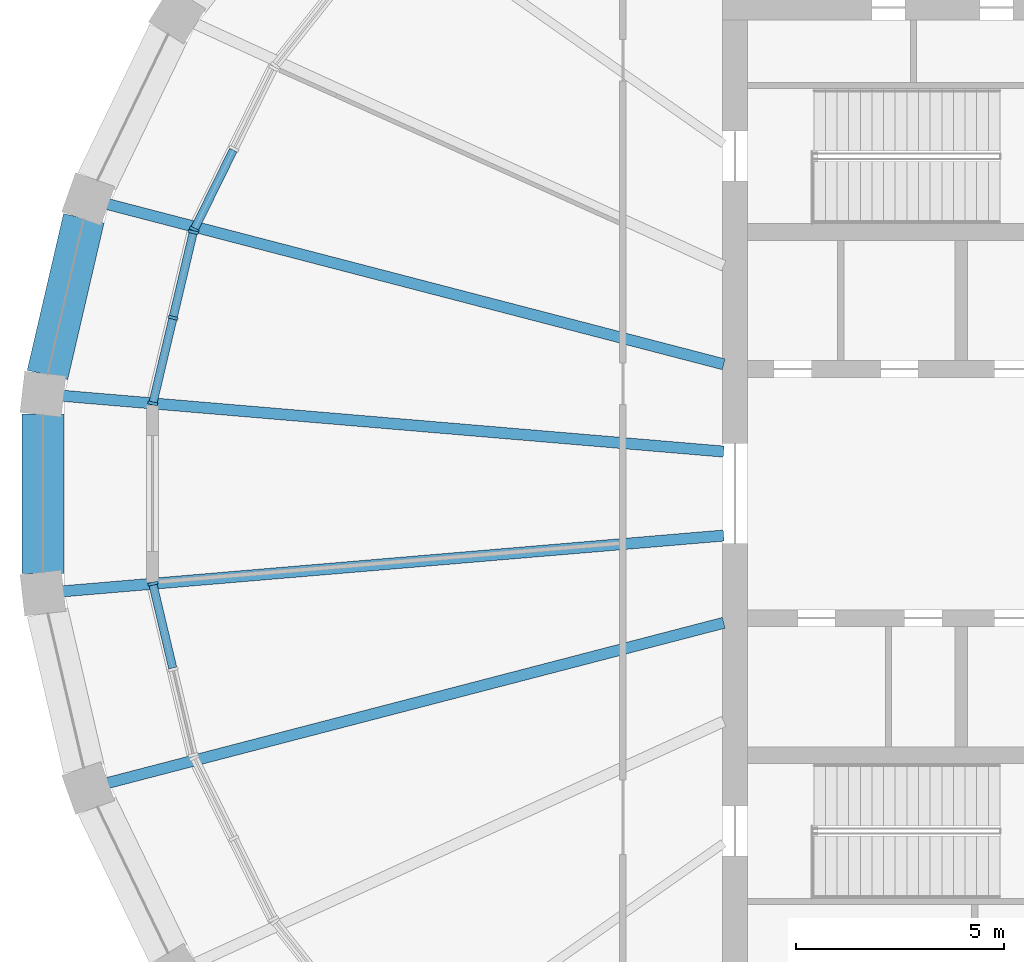
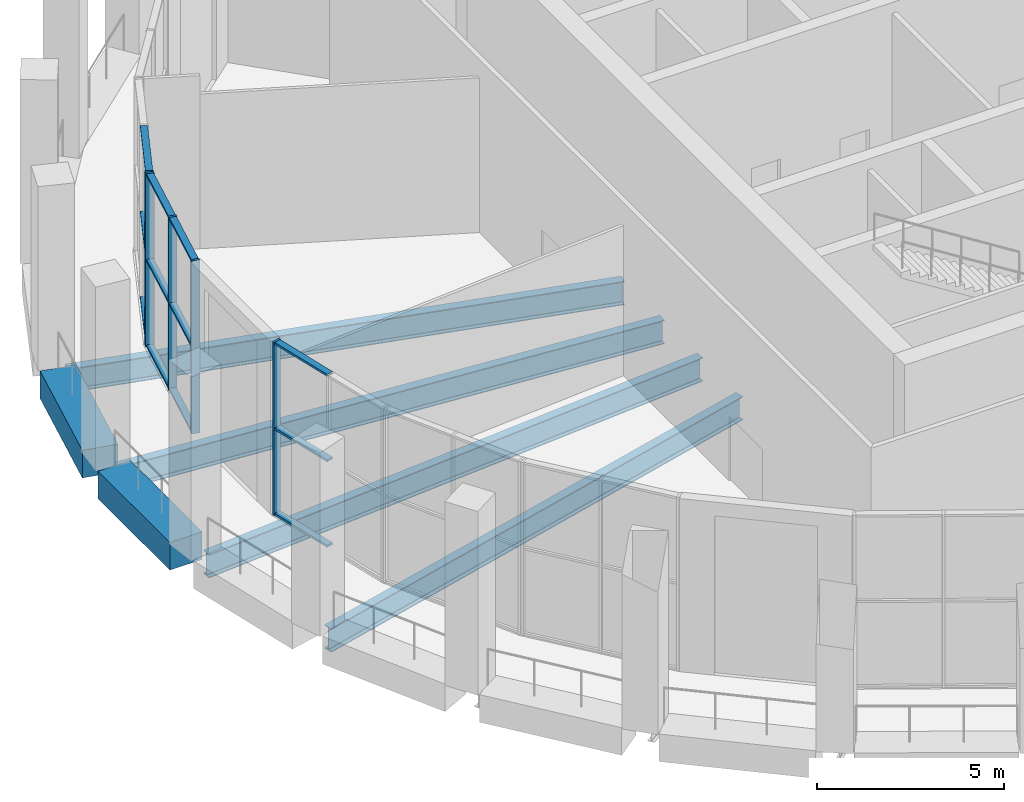
# One storey, part 3 of 15: 17 members, 6 beams, 3 elements without a shape of their own.
"""IFC4 building model written with IfcOpenShell, lengths in metres."""

from ifc_helpers import new_model, si_unit, direction, frame, origin, origin_2d, place, context, subcontext, project, spatial, rectangle, i_section, extrude, material, material_profile, profile_set, type_object, element, aggregate, save


model = new_model("IFC4")

# Units and contexts
model_context = context("Model", 3, precision=1e-05, world=origin(), true_north=direction((0.0, 1.0)))
body_context = subcontext(model_context, "Body", "Model", "MODEL_VIEW")
ifc_project = project(units=[si_unit("LENGTHUNIT", "METRE"), si_unit("AREAUNIT", "SQUARE_METRE"), si_unit("VOLUMEUNIT", "CUBIC_METRE"), si_unit("PLANEANGLEUNIT", "RADIAN"), si_unit("MASSUNIT", "GRAM", prefix="KILO")], contexts=[model_context])

# Site, building, storey
site_placement = place(None, origin())
site = spatial("IfcSite", under=ifc_project, at=site_placement, CompositionType="ELEMENT")
building_placement = place(site_placement, origin())
building = spatial("IfcBuilding", under=site, at=building_placement, Name="Halqa Exchange Tower", CompositionType="ELEMENT")
storey_placement = place(building_placement, frame((0.0, 0.0, 343.300048828125)))
storey = spatial("IfcBuildingStorey", under=building, at=storey_placement, Name="L80", CompositionType="ELEMENT", Elevation=343.300048828125)

# Beams
ifc_material_1 = material(Name="Steel S355", Category="steel")
ifc_material_profile_1 = material_profile(ifc_material_1, i_section(OverallWidth=0.26806640625, OverallDepth=0.77001953125, WebThickness=0.015625, FlangeThickness=0.025390625, FilletRadius=0.01708984375, at=origin_2d()), Name="IPE 750x196")
ifc_profile_set_1 = profile_set([ifc_material_profile_1], Name="Steel S355")
beam_type_1 = type_object("IfcBeamType", Name="Floor beam IPE 750x196", PredefinedType="BEAM", material=ifc_profile_set_1)
beam_1_placement = place(storey_placement, frame((-11.97119140625, 3.112548828125, -0.735107421875), z_axis=(-0.967819348283, 0.251645999551, 0.0), x_axis=(-0.251645999551, -0.967819348283, 0.0)))
element("IfcBeam", 1, at=beam_1_placement, inside=storey, type_object=beam_type_1, Name="Radial beam 15", PredefinedType="BEAM", context=body_context, shape_type="SweptSolid", body=[
    extrude(i_section(OverallWidth=0.26806640625, OverallDepth=0.77001953125, WebThickness=0.015625, FlangeThickness=0.025390625, FilletRadius=0.01708984375, at=origin_2d()), origin(), (0.0, 0.0, 1.0), 15.4365234375),
])
for number, where, z_axis, x_axis, name in (
    (2, (-11.972900390625, 1.0107421875, -0.735107421875), (-0.996455843657, 0.08411748713, 0.0), (-0.08411748713, -0.996455843657, 0.0), "Radial beam 16"),
    (3, (-11.972900390625, -1.0107421875, -0.735107421875), (-0.996455843657, -0.08411748713, 0.0), (0.08411748713, -0.996455843657, 0.0), "Radial beam 17"),
):
    element("IfcBeam", number, at=place(storey_placement, frame(where, z_axis=z_axis, x_axis=x_axis)), inside=storey, type_object=beam_type_1, Name=name, PredefinedType="BEAM", context=body_context, shape_type="SweptSolid", body=[
        extrude(i_section(OverallWidth=0.26806640625, OverallDepth=0.77001953125, WebThickness=0.015625, FlangeThickness=0.025390625, FilletRadius=0.01708984375, at=origin_2d()), origin(), (0.0, 0.0, 1.0), 16.076171875),
    ])
beam_2_placement = place(storey_placement, frame((-11.97119140625, -3.112548828125, -0.735107421875), z_axis=(-0.967819348283, -0.251645999551, 0.0), x_axis=(0.251645999551, -0.967819348283, 0.0)))
element("IfcBeam", 4, at=beam_2_placement, inside=storey, type_object=beam_type_1, Name="Radial beam 18", PredefinedType="BEAM", context=body_context, shape_type="SweptSolid", body=[
    extrude(i_section(OverallWidth=0.26806640625, OverallDepth=0.77001953125, WebThickness=0.015625, FlangeThickness=0.025390625, FilletRadius=0.01708984375, at=origin_2d()), origin(), (0.0, 0.0, 1.0), 15.4365234375),
])

# Curtain wall, member
ifc_material_2 = material(Name="Anodised aluminium and clear glass", Category="aluminium")
curtain_wall_type = type_object("IfcCurtainWallType", Name="Observation deck glazing", PredefinedType="NOTDEFINED", material=ifc_material_2)
curtain_wall_1_placement = place(storey_placement, origin())
curtain_wall_1 = element("IfcCurtainWall", 5, at=curtain_wall_1_placement, inside=storey, type_object=curtain_wall_type, Name="Observation deck glazing run G14", PredefinedType="NOTDEFINED")
ifc_material_3 = material(Name="Anodised aluminium", Category="aluminium")
ifc_material_profile_2 = material_profile(ifc_material_3, rectangle(XDim=0.239990234375, YDim=0.070068359375, at=origin_2d()), Name="AL 70x240")
ifc_profile_set_2 = profile_set([ifc_material_profile_2], Name="Anodised aluminium")
member_type_1 = type_object("IfcMemberType", Name="Observation deck glazing mullion 70 x 240", PredefinedType="MULLION", material=ifc_profile_set_2)
member_1_placement = place(storey_placement, frame((-24.719970703125, 6.36083984375, 0.0), z_axis=(0.0, 0.0, 1.0), x_axis=(0.897214741349, -0.441594506199, 0.0)))
member_1 = element("IfcMember", 6, at=member_1_placement, type_object=member_type_1, Name="G14 mullion 3", PredefinedType="MULLION", context=body_context, shape_type="SweptSolid", body=[
    extrude(rectangle(XDim=0.239990234375, YDim=0.070068359375, at=origin_2d()), origin(), (0.0, 0.0, 1.0), 5.64990234375),
])

# Curtain wall, members
curtain_wall_2_placement = place(storey_placement, origin())
curtain_wall_2 = element("IfcCurtainWall", 7, at=curtain_wall_2_placement, inside=storey, type_object=curtain_wall_type, Name="Observation deck glazing run G15", PredefinedType="NOTDEFINED")
member_2_placement = place(storey_placement, frame((-24.74365234375, 6.29541015625, 0.0), z_axis=(0.0, 0.0, 1.0), x_axis=(0.97319169906, -0.229995471437, 0.0)))
member_2 = element("IfcMember", 8, at=member_2_placement, type_object=member_type_1, Name="G15 mullion 1", PredefinedType="MULLION", context=body_context, shape_type="SweptSolid", body=[
    extrude(rectangle(XDim=0.239990234375, YDim=0.070068359375, at=origin_2d()), origin(), (0.0, 0.0, 1.0), 5.64990234375),
])
member_3_placement = place(storey_placement, frame((-25.23095703125, 4.2333984375, 0.0), z_axis=(0.0, 0.0, 1.0), x_axis=(0.97319169906, -0.229995471437, 0.0)))
member_3 = element("IfcMember", 9, at=member_3_placement, type_object=member_type_1, Name="G15 mullion 2", PredefinedType="MULLION", context=body_context, shape_type="SweptSolid", body=[
    extrude(rectangle(XDim=0.239990234375, YDim=0.070068359375, at=origin_2d()), origin(), (0.0, 0.0, 1.0), 5.64990234375),
])
member_4_placement = place(storey_placement, frame((-25.71826171875, 2.171630859375, 0.0), z_axis=(0.0, 0.0, 1.0), x_axis=(0.97319169906, -0.229995471437, 0.0)))
member_4 = element("IfcMember", 10, at=member_4_placement, type_object=member_type_1, Name="G15 mullion 3", PredefinedType="MULLION", context=body_context, shape_type="SweptSolid", body=[
    extrude(rectangle(XDim=0.239990234375, YDim=0.070068359375, at=origin_2d()), origin(), (0.0, 0.0, 1.0), 5.64990234375),
])

# Curtain wall, member
curtain_wall_3_placement = place(storey_placement, origin())
curtain_wall_3 = element("IfcCurtainWall", 11, at=curtain_wall_3_placement, inside=storey, type_object=curtain_wall_type, Name="Observation deck glazing run G17", PredefinedType="NOTDEFINED")
member_5_placement = place(storey_placement, frame((-25.71826171875, -2.171630859375, 0.0), z_axis=(0.0, 0.0, 1.0), x_axis=(0.97319169906, 0.229995471437, 0.0)))
member_5 = element("IfcMember", 12, at=member_5_placement, type_object=member_type_1, Name="G17 mullion 1", PredefinedType="MULLION", context=body_context, shape_type="SweptSolid", body=[
    extrude(rectangle(XDim=0.239990234375, YDim=0.070068359375, at=origin_2d()), origin(), (0.0, 0.0, 1.0), 5.64990234375),
])

# Member
ifc_material_profile_3 = material_profile(ifc_material_3, rectangle(XDim=0.199951171875, YDim=0.070068359375, at=origin_2d()), Name="AL 70x200")
ifc_profile_set_3 = profile_set([ifc_material_profile_3], Name="Anodised aluminium")
member_type_2 = type_object("IfcMemberType", Name="Observation deck glazing transom 70 x 200", PredefinedType="USERDEFINED", material=ifc_profile_set_3)
member_6_placement = place(storey_placement, frame((-23.779541015625, 8.271484375, 0.034912109375), z_axis=(-0.441656599677, -0.89718417728, 0.0), x_axis=(0.89718417728, -0.441656599677, 0.0)))
member_6 = element("IfcMember", 13, at=member_6_placement, type_object=member_type_2, Name="G14 transom 2.1", ObjectType="TRANSOM", PredefinedType="USERDEFINED", context=body_context, shape_type="SweptSolid", body=[
    extrude(rectangle(XDim=0.199951171875, YDim=0.070068359375, at=origin_2d()), origin(), (0.0, 0.0, 1.0), 2.094482421875),
])

member_7_placement = place(storey_placement, frame((-23.779541015625, 8.271484375, 2.824951171875), z_axis=(-0.441656599677, -0.89718417728, 0.0), x_axis=(0.89718417728, -0.441656599677, 0.0)))
member_7 = element("IfcMember", 14, at=member_7_placement, type_object=member_type_2, Name="G14 transom 2.2", ObjectType="TRANSOM", PredefinedType="USERDEFINED", context=body_context, shape_type="SweptSolid", body=[
    extrude(rectangle(XDim=0.199951171875, YDim=0.070068359375, at=origin_2d()), origin(), (0.0, 0.0, 1.0), 2.094482421875),
])

member_8_placement = place(storey_placement, frame((-23.779541015625, 8.271484375, 5.614990234375), z_axis=(-0.441656599677, -0.89718417728, 0.0), x_axis=(0.89718417728, -0.441656599677, 0.0)))
member_8 = element("IfcMember", 15, at=member_8_placement, type_object=member_type_2, Name="G14 transom 2.3", ObjectType="TRANSOM", PredefinedType="USERDEFINED", context=body_context, shape_type="SweptSolid", body=[
    extrude(rectangle(XDim=0.199951171875, YDim=0.070068359375, at=origin_2d()), origin(), (0.0, 0.0, 1.0), 2.094482421875),
])

aggregate(curtain_wall_1, [member_1, member_6, member_7, member_8])

member_9_placement = place(storey_placement, frame((-24.751708984375, 6.261474609375, 0.034912109375), z_axis=(-0.229982362929, -0.973194796914, 0.0), x_axis=(0.973194796914, -0.229982362929, 0.0)))
member_9 = element("IfcMember", 16, at=member_9_placement, type_object=member_type_2, Name="G15 transom 1.1", ObjectType="TRANSOM", PredefinedType="USERDEFINED", context=body_context, shape_type="SweptSolid", body=[
    extrude(rectangle(XDim=0.199951171875, YDim=0.070068359375, at=origin_2d()), origin(), (0.0, 0.0, 1.0), 2.048828125),
])

member_10_placement = place(storey_placement, frame((-24.751708984375, 6.261474609375, 2.824951171875), z_axis=(-0.229982362929, -0.973194796914, 0.0), x_axis=(0.973194796914, -0.229982362929, 0.0)))
member_10 = element("IfcMember", 17, at=member_10_placement, type_object=member_type_2, Name="G15 transom 1.2", ObjectType="TRANSOM", PredefinedType="USERDEFINED", context=body_context, shape_type="SweptSolid", body=[
    extrude(rectangle(XDim=0.199951171875, YDim=0.070068359375, at=origin_2d()), origin(), (0.0, 0.0, 1.0), 2.048828125),
])

member_11_placement = place(storey_placement, frame((-24.751708984375, 6.261474609375, 5.614990234375), z_axis=(-0.229982362929, -0.973194796914, 0.0), x_axis=(0.973194796914, -0.229982362929, 0.0)))
member_11 = element("IfcMember", 18, at=member_11_placement, type_object=member_type_2, Name="G15 transom 1.3", ObjectType="TRANSOM", PredefinedType="USERDEFINED", context=body_context, shape_type="SweptSolid", body=[
    extrude(rectangle(XDim=0.199951171875, YDim=0.070068359375, at=origin_2d()), origin(), (0.0, 0.0, 1.0), 2.048828125),
])

member_12_placement = place(storey_placement, frame((-25.239013671875, 4.199462890625, 0.034912109375), z_axis=(-0.229982362929, -0.973194796914, 0.0), x_axis=(0.973194796914, -0.229982362929, 0.0)))
member_12 = element("IfcMember", 19, at=member_12_placement, type_object=member_type_2, Name="G15 transom 2.1", ObjectType="TRANSOM", PredefinedType="USERDEFINED", context=body_context, shape_type="SweptSolid", body=[
    extrude(rectangle(XDim=0.199951171875, YDim=0.070068359375, at=origin_2d()), origin(), (0.0, 0.0, 1.0), 2.048828125),
])

member_13_placement = place(storey_placement, frame((-25.239013671875, 4.199462890625, 2.824951171875), z_axis=(-0.229982362929, -0.973194796914, 0.0), x_axis=(0.973194796914, -0.229982362929, 0.0)))
member_13 = element("IfcMember", 20, at=member_13_placement, type_object=member_type_2, Name="G15 transom 2.2", ObjectType="TRANSOM", PredefinedType="USERDEFINED", context=body_context, shape_type="SweptSolid", body=[
    extrude(rectangle(XDim=0.199951171875, YDim=0.070068359375, at=origin_2d()), origin(), (0.0, 0.0, 1.0), 2.048828125),
])

member_14_placement = place(storey_placement, frame((-25.239013671875, 4.199462890625, 5.614990234375), z_axis=(-0.229982362929, -0.973194796914, 0.0), x_axis=(0.973194796914, -0.229982362929, 0.0)))
member_14 = element("IfcMember", 21, at=member_14_placement, type_object=member_type_2, Name="G15 transom 2.3", ObjectType="TRANSOM", PredefinedType="USERDEFINED", context=body_context, shape_type="SweptSolid", body=[
    extrude(rectangle(XDim=0.199951171875, YDim=0.070068359375, at=origin_2d()), origin(), (0.0, 0.0, 1.0), 2.048828125),
])

aggregate(curtain_wall_2, [member_2, member_3, member_4, member_9, member_10, member_11, member_12, member_13, member_14])

member_15_placement = place(storey_placement, frame((-25.710205078125, -2.20556640625, 0.034912109375), z_axis=(0.229982362929, -0.973194796914, 0.0), x_axis=(0.973194796914, 0.229982362929, 0.0)))
member_15 = element("IfcMember", 22, at=member_15_placement, type_object=member_type_2, Name="G17 transom 1.1", ObjectType="TRANSOM", PredefinedType="USERDEFINED", context=body_context, shape_type="SweptSolid", body=[
    extrude(rectangle(XDim=0.199951171875, YDim=0.070068359375, at=origin_2d()), origin(), (0.0, 0.0, 1.0), 2.048828125),
])

member_16_placement = place(storey_placement, frame((-25.710205078125, -2.20556640625, 2.824951171875), z_axis=(0.229982362929, -0.973194796914, 0.0), x_axis=(0.973194796914, 0.229982362929, 0.0)))
member_16 = element("IfcMember", 23, at=member_16_placement, type_object=member_type_2, Name="G17 transom 1.2", ObjectType="TRANSOM", PredefinedType="USERDEFINED", context=body_context, shape_type="SweptSolid", body=[
    extrude(rectangle(XDim=0.199951171875, YDim=0.070068359375, at=origin_2d()), origin(), (0.0, 0.0, 1.0), 2.048828125),
])

member_17_placement = place(storey_placement, frame((-25.710205078125, -2.20556640625, 5.614990234375), z_axis=(0.229982362929, -0.973194796914, 0.0), x_axis=(0.973194796914, 0.229982362929, 0.0)))
member_17 = element("IfcMember", 24, at=member_17_placement, type_object=member_type_2, Name="G17 transom 1.3", ObjectType="TRANSOM", PredefinedType="USERDEFINED", context=body_context, shape_type="SweptSolid", body=[
    extrude(rectangle(XDim=0.199951171875, YDim=0.070068359375, at=origin_2d()), origin(), (0.0, 0.0, 1.0), 2.048828125),
])

aggregate(curtain_wall_3, [member_5, member_15, member_16, member_17])

# Beams
ifc_material_4 = material(Name="Concrete C60/75", Category="concrete")
ifc_material_profile_4 = material_profile(ifc_material_4, rectangle(XDim=1.0, YDim=0.89990234375, at=origin_2d()), Name="1000 x 900")
ifc_profile_set_4 = profile_set([ifc_material_profile_4], Name="Concrete C60/75")
beam_type_2 = type_object("IfcBeamType", Name="RC spandrel beam 1000 x 900 C60/75", PredefinedType="SPANDREL", material=ifc_profile_set_4)
beam_3_placement = place(storey_placement, frame((-27.3798828125, 6.629150390625, -0.449951171875), z_axis=(-0.226093384766, -0.974105631523, 0.0), x_axis=(0.974105631523, -0.226093384766, 0.0)))
element("IfcBeam", 25, at=beam_3_placement, inside=storey, type_object=beam_type_2, Name="Spandrel 15", PredefinedType="SPANDREL", context=body_context, shape_type="SweptSolid", body=[
    extrude(rectangle(XDim=1.0, YDim=0.89990234375, at=origin_2d()), origin(), (0.0, 0.0, 1.0), 3.872314453125),
])
beam_4_placement = place(storey_placement, frame((-28.36279296875, 1.919189453125, -0.449951171875), z_axis=(0.0, -1.0, 0.0), x_axis=(1.0, 0.0, 0.0)))
element("IfcBeam", 26, at=beam_4_placement, inside=storey, type_object=beam_type_2, Name="Spandrel 16", PredefinedType="SPANDREL", context=body_context, shape_type="SweptSolid", body=[
    extrude(rectangle(XDim=1.0, YDim=0.89990234375, at=origin_2d()), origin(), (0.0, 0.0, 1.0), 3.83837890625),
])

save(model, "model.ifc")
